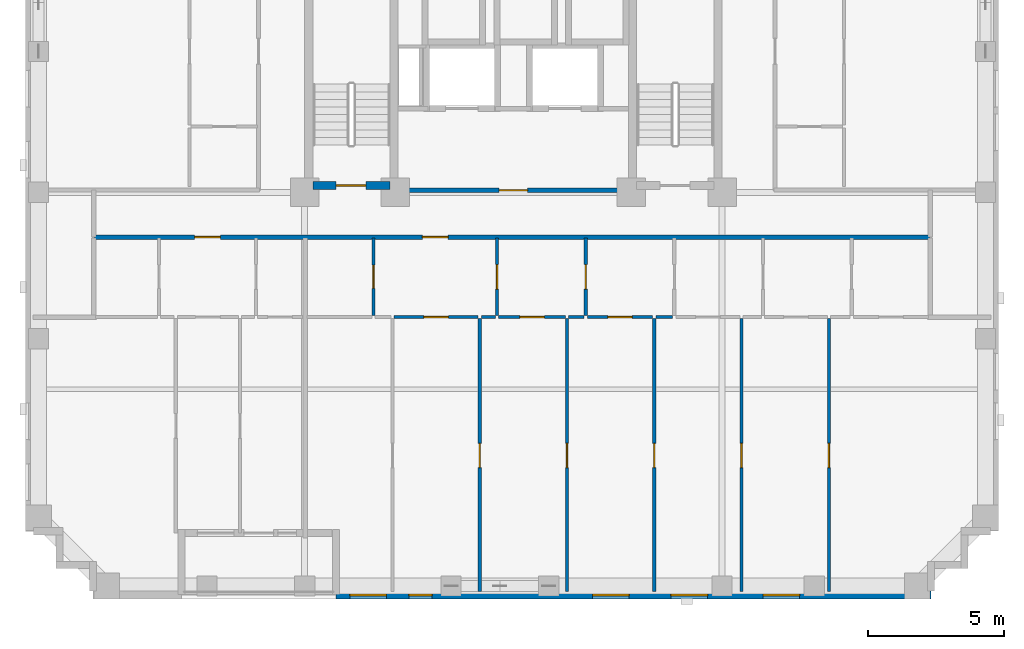
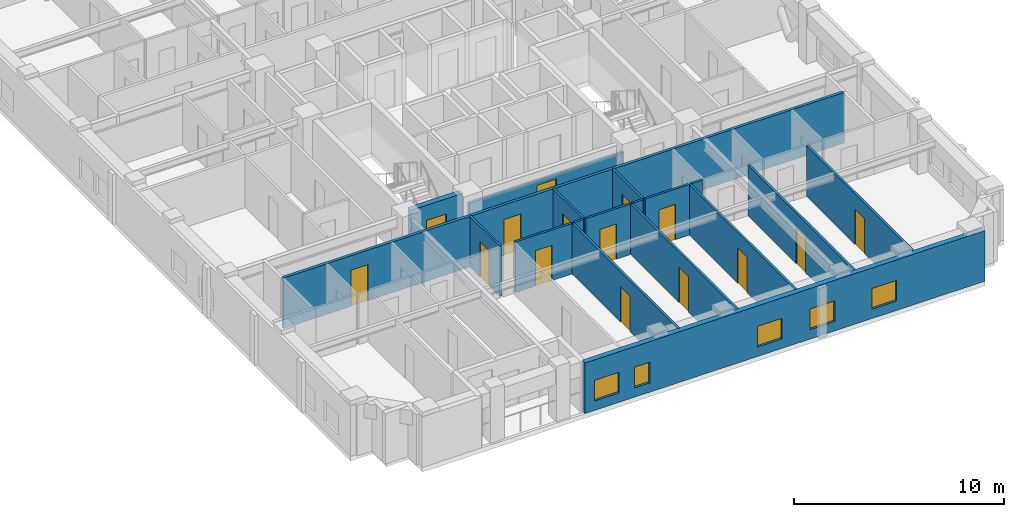
# One storey, part 3 of 12: 18 walls, 15 doors, 5 windows, 20 openings.
"""IFC4 building model written with IfcOpenShell, lengths in metres."""

from ifc_helpers import new_model, si_unit, derived_unit, direction, frame, frame_2d, origin, place, context, subcontext, project, spatial, rectangle, extrude, material, layer, layer_set, type_object, element, fill, save


model = new_model("IFC4")

# Units and contexts
model_context = context("Model", 3, precision=1e-05, world=origin(), true_north=direction((0.0, 1.0)))
body_context = subcontext(model_context, "Body", "Model", "MODEL_VIEW")
ifc_project = project(units=[si_unit("LENGTHUNIT", "METRE"), si_unit("AREAUNIT", "SQUARE_METRE"), si_unit("VOLUMEUNIT", "CUBIC_METRE"), si_unit("PLANEANGLEUNIT", "RADIAN"), si_unit("MASSUNIT", "GRAM", prefix="KILO"), derived_unit("THERMALTRANSMITTANCEUNIT", [(si_unit("MASSUNIT", "GRAM", prefix="KILO"), 1), (si_unit("TIMEUNIT", "SECOND"), -3), (si_unit("THERMODYNAMICTEMPERATUREUNIT", "KELVIN"), -1)])], contexts=[model_context])

# Site, building, storey
site_placement = place(None, origin())
site = spatial("IfcSite", under=ifc_project, at=site_placement, CompositionType="ELEMENT")
building_placement = place(site_placement, origin())
building = spatial("IfcBuilding", under=site, at=building_placement, Name="Korrvale Station Residences", CompositionType="ELEMENT")
storey_placement = place(building_placement, frame((0.0, 0.0, 110.300048828125)))
storey = spatial("IfcBuildingStorey", under=building, at=storey_placement, Name="L31", CompositionType="ELEMENT", Elevation=110.300048828125)

# Wall, opening, door
ifc_material_1 = material(Name="Concrete C60/75", Category="concrete")
ifc_layer_1 = layer(ifc_material_1, 0.300048828125, Name="Concrete C60/75")
ifc_layer_set_1 = layer_set([ifc_layer_1], Name="Concrete C60/75")
wall_type_1 = type_object("IfcWallType", Name="WAL-CORE-300-C60", PredefinedType="SHEAR", material=ifc_layer_set_1)
wall_1_placement = place(storey_placement, frame((18.10009765625, 15.25, 0.0), z_axis=(0.0, 0.0, 1.0), x_axis=(1.0, 0.0, 0.0)))
wall_1 = element("IfcWall", 1, at=wall_1_placement, inside=storey, type_object=wall_type_1, Name="L31 ST-1 Core Shear Wall South", PredefinedType="SHEAR", context=body_context, shape_type="SweptSolid", body=[
    extrude(rectangle(XDim=2.849853515625, YDim=0.300048828125, at=frame_2d((1.4248046875, 0.0))), origin(), (0.0, 0.0, 1.0), 2.93994140625),
])
opening_1_placement = place(wall_1_placement, frame((0.860107421875, 0.0, 0.0)))
opening_1 = element("IfcOpeningElement", 2, at=opening_1_placement, cuts=wall_1, Name="Opening SD-1100", PredefinedType="OPENING", context=body_context, shape_type="SweptSolid", body=[
    extrude(rectangle(XDim=1.10009765625, YDim=2.050048828125, at=frame_2d((0.550048828125, 1.02490234375))), frame((0.0, 0.16015625, 0.0), z_axis=(0.0, -1.0, 0.0), x_axis=(1.0, 0.0, 0.0)), (0.0, 0.0, 1.0), 0.320068359375),
])
ifc_material_2 = material(Name="Hollow-metal fire-rated stair door with closer", Category="steel")
door_type_1 = type_object("IfcDoorType", Name="DR-STAIR-1100", OperationType="NOTDEFINED", PredefinedType="DOOR", material=ifc_material_2)
door_1_placement = place(opening_1_placement, origin())
door_1 = element("IfcDoor", 3, at=door_1_placement, inside=storey, type_object=door_type_1, Name="L31 ST-1 Exit Stair Door", OperationType="SINGLE_SWING_LEFT", OverallHeight=2.050048828125, OverallWidth=1.10009765625, PredefinedType="DOOR", context=body_context, shape_type="SweptSolid", body=[
    extrude(rectangle(XDim=1.10009765625, YDim=2.050048828125, at=frame_2d((0.550048828125, 1.02490234375))), frame((0.0, 0.02490234375, 0.0), z_axis=(0.0, -1.0, 0.0), x_axis=(1.0, 0.0, 0.0)), (0.0, 0.0, 1.0), 0.050048828125),
])
fill(opening_1, door_1)

# Wall, openings, windows
ifc_material_3 = material(Name="Precast concrete C45/55", Category="concrete")
ifc_layer_2 = layer(ifc_material_3, 0.300048828125, Name="Precast concrete C45/55")
ifc_layer_set_2 = layer_set([ifc_layer_2], Name="Precast concrete C45/55")
wall_type_2 = type_object("IfcWallType", Name="WAL-EXT-PC300", PredefinedType="SOLIDWALL", material=ifc_layer_set_2)
wall_2_placement = place(storey_placement, frame((40.89990234375, 0.14990234375, 0.0), z_axis=(0.0, 0.0, 1.0), x_axis=(-1.0, 0.0, 0.0)))
wall_2 = element("IfcWall", 4, at=wall_2_placement, inside=storey, type_object=wall_type_2, Name="L31 South Exterior Precast Wall 1", PredefinedType="SOLIDWALL", context=body_context, shape_type="SweptSolid", body=[
    extrude(rectangle(XDim=21.949951171875, YDim=0.300048828125, at=frame_2d((10.97509765625, 0.0))), origin(), (0.0, 0.0, 1.0), 2.93994140625),
])
opening_2_placement = place(wall_2_placement, frame((20.080078125, 0.0, 0.550048828125)))
opening_2 = element("IfcOpeningElement", 5, at=opening_2_placement, cuts=wall_2, Name="Opening W-10", PredefinedType="OPENING", context=body_context, shape_type="SweptSolid", body=[
    extrude(rectangle(XDim=1.35009765625, YDim=1.199951171875, at=frame_2d((0.675048828125, 0.60009765625))), frame((0.0, 0.16015625, 0.0), z_axis=(0.0, -1.0, 0.0), x_axis=(1.0, 0.0, 0.0)), (0.0, 0.0, 1.0), 0.320068359375),
])
opening_3_placement = place(wall_2_placement, frame((18.39990234375, 0.0, 0.550048828125)))
opening_3 = element("IfcOpeningElement", 6, at=opening_3_placement, cuts=wall_2, Name="Opening W-11", PredefinedType="OPENING", context=body_context, shape_type="SweptSolid", body=[
    extrude(rectangle(XDim=0.85009765625, YDim=1.199951171875, at=frame_2d((0.425048828125, 0.60009765625))), frame((0.0, 0.16015625, 0.0), z_axis=(0.0, -1.0, 0.0), x_axis=(1.0, 0.0, 0.0)), (0.0, 0.0, 1.0), 0.320068359375),
])
opening_4_placement = place(wall_2_placement, frame((11.126953125, 0.0, 0.550048828125)))
opening_4 = element("IfcOpeningElement", 7, at=opening_4_placement, cuts=wall_2, Name="Opening W-10", PredefinedType="OPENING", context=body_context, shape_type="SweptSolid", body=[
    extrude(rectangle(XDim=1.35009765625, YDim=1.199951171875, at=frame_2d((0.675048828125, 0.60009765625))), frame((0.0, 0.16015625, 0.0), z_axis=(0.0, -1.0, 0.0), x_axis=(1.0, 0.0, 0.0)), (0.0, 0.0, 1.0), 0.320068359375),
])
opening_5_placement = place(wall_2_placement, frame((8.235107421875, 0.0, 0.550048828125)))
opening_5 = element("IfcOpeningElement", 8, at=opening_5_placement, cuts=wall_2, Name="Opening W-10", PredefinedType="OPENING", context=body_context, shape_type="SweptSolid", body=[
    extrude(rectangle(XDim=1.35009765625, YDim=1.199951171875, at=frame_2d((0.675048828125, 0.60009765625))), frame((0.0, 0.16015625, 0.0), z_axis=(0.0, -1.0, 0.0), x_axis=(1.0, 0.0, 0.0)), (0.0, 0.0, 1.0), 0.320068359375),
])
opening_6_placement = place(wall_2_placement, frame((4.8349609375, 0.0, 0.550048828125)))
opening_6 = element("IfcOpeningElement", 9, at=opening_6_placement, cuts=wall_2, Name="Opening W-10", PredefinedType="OPENING", context=body_context, shape_type="SweptSolid", body=[
    extrude(rectangle(XDim=1.35009765625, YDim=1.199951171875, at=frame_2d((0.675048828125, 0.60009765625))), frame((0.0, 0.16015625, 0.0), z_axis=(0.0, -1.0, 0.0), x_axis=(1.0, 0.0, 0.0)), (0.0, 0.0, 1.0), 0.320068359375),
])
ifc_material_4 = material(Name="Thermally broken aluminium frame with triple low-e glazing", Category="aluminium")
window_type_1 = type_object("IfcWindowType", Name="WIN-W10", PartitioningType="SINGLE_PANEL", PredefinedType="WINDOW", material=ifc_material_4)
window_1_placement = place(opening_2_placement, origin())
window_1 = element("IfcWindow", 10, at=window_1_placement, inside=storey, type_object=window_type_1, Name="L31 Punched Window 05", OverallHeight=1.199951171875, OverallWidth=1.35009765625, PartitioningType="SINGLE_PANEL", PredefinedType="WINDOW", context=body_context, shape_type="SweptSolid", body=[
    extrude(rectangle(XDim=1.35009765625, YDim=1.199951171875, at=frame_2d((0.675048828125, 0.60009765625))), frame((0.0, 0.030029296875, 0.0), z_axis=(0.0, -1.0, 0.0), x_axis=(1.0, 0.0, 0.0)), (0.0, 0.0, 1.0), 0.06005859375),
])
fill(opening_2, window_1)
window_2_placement = place(opening_4_placement, origin())
window_2 = element("IfcWindow", 11, at=window_2_placement, inside=storey, type_object=window_type_1, Name="L31 Punched Window 07", OverallHeight=1.199951171875, OverallWidth=1.35009765625, PartitioningType="SINGLE_PANEL", PredefinedType="WINDOW", context=body_context, shape_type="SweptSolid", body=[
    extrude(rectangle(XDim=1.35009765625, YDim=1.199951171875, at=frame_2d((0.675048828125, 0.60009765625))), frame((0.0, 0.030029296875, 0.0), z_axis=(0.0, -1.0, 0.0), x_axis=(1.0, 0.0, 0.0)), (0.0, 0.0, 1.0), 0.06005859375),
])
fill(opening_4, window_2)
window_3_placement = place(opening_5_placement, origin())
window_3 = element("IfcWindow", 12, at=window_3_placement, inside=storey, type_object=window_type_1, Name="L31 Punched Window 08", OverallHeight=1.199951171875, OverallWidth=1.35009765625, PartitioningType="SINGLE_PANEL", PredefinedType="WINDOW", context=body_context, shape_type="SweptSolid", body=[
    extrude(rectangle(XDim=1.35009765625, YDim=1.199951171875, at=frame_2d((0.675048828125, 0.60009765625))), frame((0.0, 0.030029296875, 0.0), z_axis=(0.0, -1.0, 0.0), x_axis=(1.0, 0.0, 0.0)), (0.0, 0.0, 1.0), 0.06005859375),
])
fill(opening_5, window_3)
window_4_placement = place(opening_6_placement, origin())
window_4 = element("IfcWindow", 13, at=window_4_placement, inside=storey, type_object=window_type_1, Name="L31 Punched Window 09", OverallHeight=1.199951171875, OverallWidth=1.35009765625, PartitioningType="SINGLE_PANEL", PredefinedType="WINDOW", context=body_context, shape_type="SweptSolid", body=[
    extrude(rectangle(XDim=1.35009765625, YDim=1.199951171875, at=frame_2d((0.675048828125, 0.60009765625))), frame((0.0, 0.030029296875, 0.0), z_axis=(0.0, -1.0, 0.0), x_axis=(1.0, 0.0, 0.0)), (0.0, 0.0, 1.0), 0.06005859375),
])
fill(opening_6, window_4)
window_type_2 = type_object("IfcWindowType", Name="WIN-W11", PartitioningType="SINGLE_PANEL", PredefinedType="WINDOW", material=ifc_material_4)
window_5_placement = place(opening_3_placement, origin())
window_5 = element("IfcWindow", 14, at=window_5_placement, inside=storey, type_object=window_type_2, Name="L31 Punched Window 06", OverallHeight=1.199951171875, OverallWidth=0.85009765625, PartitioningType="SINGLE_PANEL", PredefinedType="WINDOW", context=body_context, shape_type="SweptSolid", body=[
    extrude(rectangle(XDim=0.85009765625, YDim=1.199951171875, at=frame_2d((0.425048828125, 0.60009765625))), frame((0.0, 0.030029296875, 0.0), z_axis=(0.0, -1.0, 0.0), x_axis=(1.0, 0.0, 0.0)), (0.0, 0.0, 1.0), 0.06005859375),
])
fill(opening_3, window_5)

# Wall, opening, door
ifc_material_5 = material(Name="Acoustic steel-stud gypsum board partition", Category="steel")
ifc_layer_3 = layer(ifc_material_5, 0.1201171875, Name="Acoustic steel-stud gypsum board partition")
ifc_layer_set_3 = layer_set([ifc_layer_3], Name="Acoustic steel-stud gypsum board partition")
wall_type_3 = type_object("IfcWallType", Name="WAL-PART-125", PredefinedType="PARTITIONING", material=ifc_layer_set_3)
wall_3_placement = place(storey_placement, frame((20.340087890625, 10.4599609375, 0.0), z_axis=(0.0, 0.0, 1.0), x_axis=(0.0, 1.0, 0.0)))
wall_3 = element("IfcWall", 15, at=wall_3_placement, inside=storey, type_object=wall_type_3, Name="L31 Suite Partition U02-V01", PredefinedType="PARTITIONING", context=body_context, shape_type="SweptSolid", body=[
    extrude(rectangle(XDim=2.85009765625, YDim=0.1201171875, at=frame_2d((1.425048828125, 0.0))), origin(), (0.0, 0.0, 1.0), 2.93994140625),
])
opening_7_placement = place(wall_3_placement, frame((0.9951171875, 0.0, 0.0)))
opening_7 = element("IfcOpeningElement", 16, at=opening_7_placement, cuts=wall_3, Name="Opening DB-860", PredefinedType="OPENING", context=body_context, shape_type="SweptSolid", body=[
    extrude(rectangle(XDim=0.860107421875, YDim=2.050048828125, at=frame_2d((0.43017578125, 1.02490234375))), frame((0.0, 0.070068359375, 0.0), z_axis=(0.0, -1.0, 0.0), x_axis=(1.0, 0.0, 0.0)), (0.0, 0.0, 1.0), 0.14013671875),
])
ifc_material_6 = material(Name="Moisture-resistant solid-core bathroom door", Category="timber")
door_type_2 = type_object("IfcDoorType", Name="DR-BATH-860", OperationType="NOTDEFINED", PredefinedType="DOOR", material=ifc_material_6)
door_2_placement = place(opening_7_placement, origin())
door_2 = element("IfcDoor", 17, at=door_2_placement, inside=storey, type_object=door_type_2, Name="L31 Studio Apartment L31-U02 Bathroom Door", OperationType="SINGLE_SWING_RIGHT", OverallHeight=2.050048828125, OverallWidth=0.860107421875, PredefinedType="DOOR", context=body_context, shape_type="SweptSolid", body=[
    extrude(rectangle(XDim=0.860107421875, YDim=2.050048828125, at=frame_2d((0.43017578125, 1.02490234375))), frame((0.0, 0.02490234375, 0.0), z_axis=(0.0, -1.0, 0.0), x_axis=(1.0, 0.0, 0.0)), (0.0, 0.0, 1.0), 0.050048828125),
])
fill(opening_7, door_2)

wall_4_placement = place(storey_placement, frame((24.89990234375, 10.4599609375, 0.0), z_axis=(0.0, 0.0, 1.0), x_axis=(0.0, 1.0, 0.0)))
wall_4 = element("IfcWall", 18, at=wall_4_placement, inside=storey, type_object=wall_type_3, Name="L31 Suite Partition U02-V12", PredefinedType="PARTITIONING", context=body_context, shape_type="SweptSolid", body=[
    extrude(rectangle(XDim=2.85009765625, YDim=0.1201171875, at=frame_2d((1.425048828125, 0.0))), origin(), (0.0, 0.0, 1.0), 2.93994140625),
])
opening_8_placement = place(wall_4_placement, frame((0.97509765625, 0.0, 0.0)))
opening_8 = element("IfcOpeningElement", 19, at=opening_8_placement, cuts=wall_4, Name="Opening DI-900", PredefinedType="OPENING", context=body_context, shape_type="SweptSolid", body=[
    extrude(rectangle(XDim=0.89990234375, YDim=2.050048828125, at=frame_2d((0.449951171875, 1.02490234375))), frame((0.0, 0.070068359375, 0.0), z_axis=(0.0, -1.0, 0.0), x_axis=(1.0, 0.0, 0.0)), (0.0, 0.0, 1.0), 0.14013671875),
])
ifc_material_7 = material(Name="Painted solid-core timber interior room door", Category="wood")
door_type_3 = type_object("IfcDoorType", Name="DR-INT-900", OperationType="NOTDEFINED", PredefinedType="DOOR", material=ifc_material_7)
door_3_placement = place(opening_8_placement, origin())
door_3 = element("IfcDoor", 20, at=door_3_placement, inside=storey, type_object=door_type_3, Name="L31 Studio Apartment L31-U02 Kitchen Door", OperationType="SINGLE_SWING_LEFT", OverallHeight=2.050048828125, OverallWidth=0.89990234375, PredefinedType="DOOR", context=body_context, shape_type="SweptSolid", body=[
    extrude(rectangle(XDim=0.89990234375, YDim=2.050048828125, at=frame_2d((0.449951171875, 1.02490234375))), frame((0.0, 0.02490234375, 0.0), z_axis=(0.0, -1.0, 0.0), x_axis=(1.0, 0.0, 0.0)), (0.0, 0.0, 1.0), 0.050048828125),
])
fill(opening_8, door_3)

wall_5_placement = place(storey_placement, frame((21.10009765625, 10.39990234375, 0.0), z_axis=(0.0, 0.0, 1.0), x_axis=(1.0, 0.0, 0.0)))
wall_5 = element("IfcWall", 21, at=wall_5_placement, inside=storey, type_object=wall_type_3, Name="L31 Suite Partition U02-H18", PredefinedType="PARTITIONING", context=body_context, shape_type="SweptSolid", body=[
    extrude(rectangle(XDim=3.099853515625, YDim=0.1201171875, at=frame_2d((1.5498046875, 0.0))), origin(), (0.0, 0.0, 1.0), 2.93994140625),
])
opening_9_placement = place(wall_5_placement, frame((1.10009765625, 0.0, 0.0)))
opening_9 = element("IfcOpeningElement", 22, at=opening_9_placement, cuts=wall_5, Name="Opening DI-900", PredefinedType="OPENING", context=body_context, shape_type="SweptSolid", body=[
    extrude(rectangle(XDim=0.89990234375, YDim=2.050048828125, at=frame_2d((0.449951171875, 1.02490234375))), frame((0.0, 0.070068359375, 0.0), z_axis=(0.0, -1.0, 0.0), x_axis=(1.0, 0.0, 0.0)), (0.0, 0.0, 1.0), 0.14013671875),
])
door_4_placement = place(opening_9_placement, origin())
door_4 = element("IfcDoor", 23, at=door_4_placement, inside=storey, type_object=door_type_3, Name="L31 Studio Apartment L31-U02 Kitchen Door", OperationType="SINGLE_SWING_RIGHT", OverallHeight=2.050048828125, OverallWidth=0.89990234375, PredefinedType="DOOR", context=body_context, shape_type="SweptSolid", body=[
    extrude(rectangle(XDim=0.89990234375, YDim=2.050048828125, at=frame_2d((0.449951171875, 1.02490234375))), frame((0.0, 0.02490234375, 0.0), z_axis=(0.0, -1.0, 0.0), x_axis=(1.0, 0.0, 0.0)), (0.0, 0.0, 1.0), 0.050048828125),
])
fill(opening_9, door_4)

# Wall
wall_6_placement = place(storey_placement, frame((24.320068359375, 10.39990234375, 0.0), z_axis=(0.0, 0.0, 1.0), x_axis=(1.0, 0.0, 0.0)))
element("IfcWall", 24, at=wall_6_placement, inside=storey, type_object=wall_type_3, Name="L31 Suite Partition U02-H19", PredefinedType="PARTITIONING", context=body_context, shape_type="SweptSolid", body=[
    extrude(rectangle(XDim=0.52001953125, YDim=0.1201171875, at=frame_2d((0.260009765625, 0.0))), origin(), (0.0, 0.0, 1.0), 2.93994140625),
])

# Wall, opening, door
wall_7_placement = place(storey_placement, frame((28.169921875, 10.4599609375, 0.0), z_axis=(0.0, 0.0, 1.0), x_axis=(0.0, 1.0, 0.0)))
wall_7 = element("IfcWall", 25, at=wall_7_placement, inside=storey, type_object=wall_type_3, Name="L31 Suite Partition U02-V23", PredefinedType="PARTITIONING", context=body_context, shape_type="SweptSolid", body=[
    extrude(rectangle(XDim=2.85009765625, YDim=0.1201171875, at=frame_2d((1.425048828125, 0.0))), origin(), (0.0, 0.0, 1.0), 2.93994140625),
])
opening_10_placement = place(wall_7_placement, frame((0.97509765625, 0.0, 0.0)))
opening_10 = element("IfcOpeningElement", 26, at=opening_10_placement, cuts=wall_7, Name="Opening DI-900", PredefinedType="OPENING", context=body_context, shape_type="SweptSolid", body=[
    extrude(rectangle(XDim=0.89990234375, YDim=2.050048828125, at=frame_2d((0.449951171875, 1.02490234375))), frame((0.0, 0.070068359375, 0.0), z_axis=(0.0, -1.0, 0.0), x_axis=(1.0, 0.0, 0.0)), (0.0, 0.0, 1.0), 0.14013671875),
])
door_5_placement = place(opening_10_placement, origin())
door_5 = element("IfcDoor", 27, at=door_5_placement, inside=storey, type_object=door_type_3, Name="L31 Studio Apartment L31-U02 Home Study Room Door", OperationType="SINGLE_SWING_LEFT", OverallHeight=2.050048828125, OverallWidth=0.89990234375, PredefinedType="DOOR", context=body_context, shape_type="SweptSolid", body=[
    extrude(rectangle(XDim=0.89990234375, YDim=2.050048828125, at=frame_2d((0.449951171875, 1.02490234375))), frame((0.0, 0.02490234375, 0.0), z_axis=(0.0, -1.0, 0.0), x_axis=(1.0, 0.0, 0.0)), (0.0, 0.0, 1.0), 0.050048828125),
])
fill(opening_10, door_5)

wall_8_placement = place(storey_placement, frame((24.9599609375, 10.39990234375, 0.0), z_axis=(0.0, 0.0, 1.0), x_axis=(1.0, 0.0, 0.0)))
wall_8 = element("IfcWall", 28, at=wall_8_placement, inside=storey, type_object=wall_type_3, Name="L31 Suite Partition U02-H29", PredefinedType="PARTITIONING", context=body_context, shape_type="SweptSolid", body=[
    extrude(rectangle(XDim=2.4599609375, YDim=0.1201171875, at=frame_2d((1.22998046875, 0.0))), origin(), (0.0, 0.0, 1.0), 2.93994140625),
])
opening_11_placement = place(wall_8_placement, frame((0.780029296875, 0.0, 0.0)))
opening_11 = element("IfcOpeningElement", 29, at=opening_11_placement, cuts=wall_8, Name="Opening DI-900", PredefinedType="OPENING", context=body_context, shape_type="SweptSolid", body=[
    extrude(rectangle(XDim=0.89990234375, YDim=2.050048828125, at=frame_2d((0.449951171875, 1.02490234375))), frame((0.0, 0.070068359375, 0.0), z_axis=(0.0, -1.0, 0.0), x_axis=(1.0, 0.0, 0.0)), (0.0, 0.0, 1.0), 0.14013671875),
])
door_6_placement = place(opening_11_placement, origin())
door_6 = element("IfcDoor", 30, at=door_6_placement, inside=storey, type_object=door_type_3, Name="L31 Studio Apartment L31-U02 Home Study Room Door", OperationType="SINGLE_SWING_RIGHT", OverallHeight=2.050048828125, OverallWidth=0.89990234375, PredefinedType="DOOR", context=body_context, shape_type="SweptSolid", body=[
    extrude(rectangle(XDim=0.89990234375, YDim=2.050048828125, at=frame_2d((0.449951171875, 1.02490234375))), frame((0.0, 0.02490234375, 0.0), z_axis=(0.0, -1.0, 0.0), x_axis=(1.0, 0.0, 0.0)), (0.0, 0.0, 1.0), 0.050048828125),
])
fill(opening_11, door_6)

# Wall
wall_9_placement = place(storey_placement, frame((27.5400390625, 10.39990234375, 0.0), z_axis=(0.0, 0.0, 1.0), x_axis=(1.0, 0.0, 0.0)))
element("IfcWall", 31, at=wall_9_placement, inside=storey, type_object=wall_type_3, Name="L31 Suite Partition U02-H210", PredefinedType="PARTITIONING", context=body_context, shape_type="SweptSolid", body=[
    extrude(rectangle(XDim=0.570068359375, YDim=0.1201171875, at=frame_2d((0.28515625, 0.0))), origin(), (0.0, 0.0, 1.0), 2.93994140625),
])

# Wall, opening, door
wall_10_placement = place(storey_placement, frame((28.22998046875, 10.39990234375, 0.0), z_axis=(0.0, 0.0, 1.0), x_axis=(1.0, 0.0, 0.0)))
wall_10 = element("IfcWall", 32, at=wall_10_placement, inside=storey, type_object=wall_type_3, Name="L31 Suite Partition U02-H310", PredefinedType="PARTITIONING", context=body_context, shape_type="SweptSolid", body=[
    extrude(rectangle(XDim=2.409912109375, YDim=0.1201171875, at=frame_2d((1.205078125, 0.0))), origin(), (0.0, 0.0, 1.0), 2.93994140625),
])
opening_12_placement = place(wall_10_placement, frame((0.7548828125, 0.0, 0.0)))
opening_12 = element("IfcOpeningElement", 33, at=opening_12_placement, cuts=wall_10, Name="Opening DI-900", PredefinedType="OPENING", context=body_context, shape_type="SweptSolid", body=[
    extrude(rectangle(XDim=0.89990234375, YDim=2.050048828125, at=frame_2d((0.449951171875, 1.02490234375))), frame((0.0, 0.070068359375, 0.0), z_axis=(0.0, -1.0, 0.0), x_axis=(1.0, 0.0, 0.0)), (0.0, 0.0, 1.0), 0.14013671875),
])
door_7_placement = place(opening_12_placement, origin())
door_7 = element("IfcDoor", 34, at=door_7_placement, inside=storey, type_object=door_type_3, Name="L31 Studio Apartment L31-U02 Home Study Room Door", OperationType="SINGLE_SWING_RIGHT", OverallHeight=2.050048828125, OverallWidth=0.89990234375, PredefinedType="DOOR", context=body_context, shape_type="SweptSolid", body=[
    extrude(rectangle(XDim=0.89990234375, YDim=2.050048828125, at=frame_2d((0.449951171875, 1.02490234375))), frame((0.0, 0.02490234375, 0.0), z_axis=(0.0, -1.0, 0.0), x_axis=(1.0, 0.0, 0.0)), (0.0, 0.0, 1.0), 0.050048828125),
])
fill(opening_12, door_7)

# Wall
wall_11_placement = place(storey_placement, frame((30.760009765625, 10.39990234375, 0.0), z_axis=(0.0, 0.0, 1.0), x_axis=(1.0, 0.0, 0.0)))
element("IfcWall", 35, at=wall_11_placement, inside=storey, type_object=wall_type_3, Name="L31 Suite Partition U02-H311", PredefinedType="PARTITIONING", context=body_context, shape_type="SweptSolid", body=[
    extrude(rectangle(XDim=0.619873046875, YDim=0.1201171875, at=frame_2d((0.31005859375, 0.0))), origin(), (0.0, 0.0, 1.0), 2.93994140625),
])

# Wall, opening, door
wall_12_placement = place(storey_placement, frame((24.260009765625, 0.280029296875, 0.0), z_axis=(0.0, 0.0, 1.0), x_axis=(0.0, 1.0, 0.0)))
wall_12 = element("IfcWall", 36, at=wall_12_placement, inside=storey, type_object=wall_type_3, Name="L31 Suite Partition U02-V89", PredefinedType="PARTITIONING", context=body_context, shape_type="SweptSolid", body=[
    extrude(rectangle(XDim=10.06005859375, YDim=0.1201171875, at=frame_2d((5.030029296875, 0.0))), origin(), (0.0, 0.0, 1.0), 2.93994140625),
])
opening_13_placement = place(wall_12_placement, frame((4.56494140625, 0.0, 0.0)))
opening_13 = element("IfcOpeningElement", 37, at=opening_13_placement, cuts=wall_12, Name="Opening DI-900", PredefinedType="OPENING", context=body_context, shape_type="SweptSolid", body=[
    extrude(rectangle(XDim=0.89990234375, YDim=2.050048828125, at=frame_2d((0.449951171875, 1.02490234375))), frame((0.0, 0.070068359375, 0.0), z_axis=(0.0, -1.0, 0.0), x_axis=(1.0, 0.0, 0.0)), (0.0, 0.0, 1.0), 0.14013671875),
])
door_8_placement = place(opening_13_placement, origin())
door_8 = element("IfcDoor", 38, at=door_8_placement, inside=storey, type_object=door_type_3, Name="L31 Studio Apartment L31-U02 Formal Dining Room Door", OperationType="SINGLE_SWING_LEFT", OverallHeight=2.050048828125, OverallWidth=0.89990234375, PredefinedType="DOOR", context=body_context, shape_type="SweptSolid", body=[
    extrude(rectangle(XDim=0.89990234375, YDim=2.050048828125, at=frame_2d((0.449951171875, 1.02490234375))), frame((0.0, 0.02490234375, 0.0), z_axis=(0.0, -1.0, 0.0), x_axis=(1.0, 0.0, 0.0)), (0.0, 0.0, 1.0), 0.050048828125),
])
fill(opening_13, door_8)

wall_13_placement = place(storey_placement, frame((27.47998046875, 0.280029296875, 0.0), z_axis=(0.0, 0.0, 1.0), x_axis=(0.0, 1.0, 0.0)))
wall_13 = element("IfcWall", 39, at=wall_13_placement, inside=storey, type_object=wall_type_3, Name="L31 Suite Partition U02-V910", PredefinedType="PARTITIONING", context=body_context, shape_type="SweptSolid", body=[
    extrude(rectangle(XDim=10.06005859375, YDim=0.1201171875, at=frame_2d((5.030029296875, 0.0))), origin(), (0.0, 0.0, 1.0), 2.93994140625),
])
opening_14_placement = place(wall_13_placement, frame((4.56494140625, 0.0, 0.0)))
opening_14 = element("IfcOpeningElement", 40, at=opening_14_placement, cuts=wall_13, Name="Opening DI-900", PredefinedType="OPENING", context=body_context, shape_type="SweptSolid", body=[
    extrude(rectangle(XDim=0.89990234375, YDim=2.050048828125, at=frame_2d((0.449951171875, 1.02490234375))), frame((0.0, 0.070068359375, 0.0), z_axis=(0.0, -1.0, 0.0), x_axis=(1.0, 0.0, 0.0)), (0.0, 0.0, 1.0), 0.14013671875),
])
door_9_placement = place(opening_14_placement, origin())
door_9 = element("IfcDoor", 41, at=door_9_placement, inside=storey, type_object=door_type_3, Name="L31 Studio Apartment L31-U02 Walk-In Wardrobe Door", OperationType="SINGLE_SWING_RIGHT", OverallHeight=2.050048828125, OverallWidth=0.89990234375, PredefinedType="DOOR", context=body_context, shape_type="SweptSolid", body=[
    extrude(rectangle(XDim=0.89990234375, YDim=2.050048828125, at=frame_2d((0.449951171875, 1.02490234375))), frame((0.0, 0.02490234375, 0.0), z_axis=(0.0, -1.0, 0.0), x_axis=(1.0, 0.0, 0.0)), (0.0, 0.0, 1.0), 0.050048828125),
])
fill(opening_14, door_9)

wall_14_placement = place(storey_placement, frame((30.699951171875, 0.280029296875, 0.0), z_axis=(0.0, 0.0, 1.0), x_axis=(0.0, 1.0, 0.0)))
wall_14 = element("IfcWall", 42, at=wall_14_placement, inside=storey, type_object=wall_type_3, Name="L31 Suite Partition U02-V1011", PredefinedType="PARTITIONING", context=body_context, shape_type="SweptSolid", body=[
    extrude(rectangle(XDim=10.06005859375, YDim=0.1201171875, at=frame_2d((5.030029296875, 0.0))), origin(), (0.0, 0.0, 1.0), 2.93994140625),
])
opening_15_placement = place(wall_14_placement, frame((4.56494140625, 0.0, 0.0)))
opening_15 = element("IfcOpeningElement", 43, at=opening_15_placement, cuts=wall_14, Name="Opening DI-900", PredefinedType="OPENING", context=body_context, shape_type="SweptSolid", body=[
    extrude(rectangle(XDim=0.89990234375, YDim=2.050048828125, at=frame_2d((0.449951171875, 1.02490234375))), frame((0.0, 0.070068359375, 0.0), z_axis=(0.0, -1.0, 0.0), x_axis=(1.0, 0.0, 0.0)), (0.0, 0.0, 1.0), 0.14013671875),
])
door_10_placement = place(opening_15_placement, origin())
door_10 = element("IfcDoor", 44, at=door_10_placement, inside=storey, type_object=door_type_3, Name="L31 Studio Apartment L31-U02 Formal Dining Room Door", OperationType="SINGLE_SWING_LEFT", OverallHeight=2.050048828125, OverallWidth=0.89990234375, PredefinedType="DOOR", context=body_context, shape_type="SweptSolid", body=[
    extrude(rectangle(XDim=0.89990234375, YDim=2.050048828125, at=frame_2d((0.449951171875, 1.02490234375))), frame((0.0, 0.02490234375, 0.0), z_axis=(0.0, -1.0, 0.0), x_axis=(1.0, 0.0, 0.0)), (0.0, 0.0, 1.0), 0.050048828125),
])
fill(opening_15, door_10)

wall_15_placement = place(storey_placement, frame((33.919921875, 0.280029296875, 0.0), z_axis=(0.0, 0.0, 1.0), x_axis=(0.0, 1.0, 0.0)))
wall_15 = element("IfcWall", 45, at=wall_15_placement, inside=storey, type_object=wall_type_3, Name="L31 Suite Partition U02-V1112", PredefinedType="PARTITIONING", context=body_context, shape_type="SweptSolid", body=[
    extrude(rectangle(XDim=10.06005859375, YDim=0.1201171875, at=frame_2d((5.030029296875, 0.0))), origin(), (0.0, 0.0, 1.0), 2.93994140625),
])
opening_16_placement = place(wall_15_placement, frame((4.56494140625, 0.0, 0.0)))
opening_16 = element("IfcOpeningElement", 46, at=opening_16_placement, cuts=wall_15, Name="Opening DI-900", PredefinedType="OPENING", context=body_context, shape_type="SweptSolid", body=[
    extrude(rectangle(XDim=0.89990234375, YDim=2.050048828125, at=frame_2d((0.449951171875, 1.02490234375))), frame((0.0, 0.070068359375, 0.0), z_axis=(0.0, -1.0, 0.0), x_axis=(1.0, 0.0, 0.0)), (0.0, 0.0, 1.0), 0.14013671875),
])
door_11_placement = place(opening_16_placement, origin())
door_11 = element("IfcDoor", 47, at=door_11_placement, inside=storey, type_object=door_type_3, Name="L31 Studio Apartment L31-U02 Formal Dining Room Door", OperationType="SINGLE_SWING_RIGHT", OverallHeight=2.050048828125, OverallWidth=0.89990234375, PredefinedType="DOOR", context=body_context, shape_type="SweptSolid", body=[
    extrude(rectangle(XDim=0.89990234375, YDim=2.050048828125, at=frame_2d((0.449951171875, 1.02490234375))), frame((0.0, 0.02490234375, 0.0), z_axis=(0.0, -1.0, 0.0), x_axis=(1.0, 0.0, 0.0)), (0.0, 0.0, 1.0), 0.050048828125),
])
fill(opening_16, door_11)

wall_16_placement = place(storey_placement, frame((37.139892578125, 0.280029296875, 0.0), z_axis=(0.0, 0.0, 1.0), x_axis=(0.0, 1.0, 0.0)))
wall_16 = element("IfcWall", 48, at=wall_16_placement, inside=storey, type_object=wall_type_3, Name="L31 Suite Partition U02-V1213", PredefinedType="PARTITIONING", context=body_context, shape_type="SweptSolid", body=[
    extrude(rectangle(XDim=10.06005859375, YDim=0.1201171875, at=frame_2d((5.030029296875, 0.0))), origin(), (0.0, 0.0, 1.0), 2.93994140625),
])
opening_17_placement = place(wall_16_placement, frame((4.56494140625, 0.0, 0.0)))
opening_17 = element("IfcOpeningElement", 49, at=opening_17_placement, cuts=wall_16, Name="Opening DI-900", PredefinedType="OPENING", context=body_context, shape_type="SweptSolid", body=[
    extrude(rectangle(XDim=0.89990234375, YDim=2.050048828125, at=frame_2d((0.449951171875, 1.02490234375))), frame((0.0, 0.070068359375, 0.0), z_axis=(0.0, -1.0, 0.0), x_axis=(1.0, 0.0, 0.0)), (0.0, 0.0, 1.0), 0.14013671875),
])
door_12_placement = place(opening_17_placement, origin())
door_12 = element("IfcDoor", 50, at=door_12_placement, inside=storey, type_object=door_type_3, Name="L31 Studio Apartment L31-U02 Formal Dining Room Door", OperationType="SINGLE_SWING_LEFT", OverallHeight=2.050048828125, OverallWidth=0.89990234375, PredefinedType="DOOR", context=body_context, shape_type="SweptSolid", body=[
    extrude(rectangle(XDim=0.89990234375, YDim=2.050048828125, at=frame_2d((0.449951171875, 1.02490234375))), frame((0.0, 0.02490234375, 0.0), z_axis=(0.0, -1.0, 0.0), x_axis=(1.0, 0.0, 0.0)), (0.0, 0.0, 1.0), 0.050048828125),
])
fill(opening_17, door_12)

ifc_material_8 = material(Name="Fire-rated twin-stud gypsum and mineral wool shaftwall assembly", Category="gypsum")
ifc_layer_4 = layer(ifc_material_8, 0.159912109375, Name="Fire-rated twin-stud gypsum and mineral wool shaftwall assembly")
ifc_layer_set_4 = layer_set([ifc_layer_4], Name="Fire-rated twin-stud gypsum and mineral wool shaftwall assembly")
wall_type_4 = type_object("IfcWallType", Name="WAL-PART-200", PredefinedType="PARTITIONING", material=ifc_layer_set_4)
wall_17_placement = place(storey_placement, frame((21.25, 15.080078125, 0.0), z_axis=(0.0, 0.0, 1.0), x_axis=(1.0, 0.0, 0.0)))
wall_17 = element("IfcWall", 51, at=wall_17_placement, inside=storey, type_object=wall_type_4, Name="L31 Core Partition CW-FFL-S", PredefinedType="PARTITIONING", context=body_context, shape_type="SweptSolid", body=[
    extrude(rectangle(XDim=8.5, YDim=0.159912109375, at=frame_2d((4.25, 0.0))), origin(), (0.0, 0.0, 1.0), 2.31298828125),
])
opening_18_placement = place(wall_17_placement, frame((3.72509765625, 0.0, 0.0)))
opening_18 = element("IfcOpeningElement", 52, at=opening_18_placement, cuts=wall_17, Name="Opening FD-1050", PredefinedType="OPENING", context=body_context, shape_type="SweptSolid", body=[
    extrude(rectangle(XDim=1.050048828125, YDim=2.050048828125, at=frame_2d((0.52490234375, 1.02490234375))), frame((0.0, 0.08984375, 0.0), z_axis=(0.0, -1.0, 0.0), x_axis=(1.0, 0.0, 0.0)), (0.0, 0.0, 1.0), 0.179931640625),
])
ifc_material_9 = material(Name="Fire-rated mineral-core timber lobby door", Category="wood")
door_type_4 = type_object("IfcDoorType", Name="DR-CORE-1050", OperationType="NOTDEFINED", PredefinedType="DOOR", material=ifc_material_9)
door_13_placement = place(opening_18_placement, origin())
door_13 = element("IfcDoor", 53, at=door_13_placement, inside=storey, type_object=door_type_4, Name="L31 Firefighting Lobby Entry Door", OperationType="SINGLE_SWING_LEFT", OverallHeight=2.050048828125, OverallWidth=1.050048828125, PredefinedType="DOOR", context=body_context, shape_type="SweptSolid", body=[
    extrude(rectangle(XDim=1.050048828125, YDim=2.050048828125, at=frame_2d((0.52490234375, 1.02490234375))), frame((0.0, 0.02490234375, 0.0), z_axis=(0.0, -1.0, 0.0), x_axis=(1.0, 0.0, 0.0)), (0.0, 0.0, 1.0), 0.050048828125),
])
fill(opening_18, door_13)

# Wall, openings, doors
wall_18_placement = place(storey_placement, frame((10.050048828125, 13.35009765625, 0.0), z_axis=(0.0, 0.0, 1.0), x_axis=(1.0, 0.0, 0.0)))
wall_18 = element("IfcWall", 54, at=wall_18_placement, inside=storey, type_object=wall_type_4, Name="L31 Rated Corridor Wall S", PredefinedType="PARTITIONING", context=body_context, shape_type="SweptSolid", body=[
    extrude(rectangle(XDim=30.800048828125, YDim=0.159912109375, at=frame_2d((15.39990234375, 0.0))), origin(), (0.0, 0.0, 1.0), 2.93994140625),
])
opening_19_placement = place(wall_18_placement, frame((3.69189453125, 0.0, 0.0)))
opening_19 = element("IfcOpeningElement", 55, at=opening_19_placement, cuts=wall_18, Name="Opening UD-950", PredefinedType="OPENING", context=body_context, shape_type="SweptSolid", body=[
    extrude(rectangle(XDim=0.949951171875, YDim=2.10009765625, at=frame_2d((0.47509765625, 1.050048828125))), frame((0.0, 0.08984375, 0.0), z_axis=(0.0, -1.0, 0.0), x_axis=(1.0, 0.0, 0.0)), (0.0, 0.0, 1.0), 0.179931640625),
])
opening_20_placement = place(wall_18_placement, frame((12.094970703125, 0.0, 0.0)))
opening_20 = element("IfcOpeningElement", 56, at=opening_20_placement, cuts=wall_18, Name="Opening UD-950", PredefinedType="OPENING", context=body_context, shape_type="SweptSolid", body=[
    extrude(rectangle(XDim=0.949951171875, YDim=2.10009765625, at=frame_2d((0.47509765625, 1.050048828125))), frame((0.0, 0.08984375, 0.0), z_axis=(0.0, -1.0, 0.0), x_axis=(1.0, 0.0, 0.0)), (0.0, 0.0, 1.0), 0.179931640625),
])
ifc_material_10 = material(Name="Solid-core acoustic oak apartment entrance door", Category="timber")
door_type_5 = type_object("IfcDoorType", Name="DR-UNIT-950", OperationType="NOTDEFINED", PredefinedType="DOOR", material=ifc_material_10)
door_14_placement = place(opening_19_placement, origin())
door_14 = element("IfcDoor", 57, at=door_14_placement, inside=storey, type_object=door_type_5, Name="L31 Apartment L31-U01 Entrance Door", OperationType="SINGLE_SWING_LEFT", OverallHeight=2.10009765625, OverallWidth=0.949951171875, PredefinedType="DOOR", context=body_context, shape_type="SweptSolid", body=[
    extrude(rectangle(XDim=0.949951171875, YDim=2.10009765625, at=frame_2d((0.47509765625, 1.050048828125))), frame((0.0, 0.02490234375, 0.0), z_axis=(0.0, -1.0, 0.0), x_axis=(1.0, 0.0, 0.0)), (0.0, 0.0, 1.0), 0.050048828125),
])
fill(opening_19, door_14)
door_15_placement = place(opening_20_placement, origin())
door_15 = element("IfcDoor", 58, at=door_15_placement, inside=storey, type_object=door_type_5, Name="L31 Apartment L31-U02 Entrance Door", OperationType="SINGLE_SWING_RIGHT", OverallHeight=2.10009765625, OverallWidth=0.949951171875, PredefinedType="DOOR", context=body_context, shape_type="SweptSolid", body=[
    extrude(rectangle(XDim=0.949951171875, YDim=2.10009765625, at=frame_2d((0.47509765625, 1.050048828125))), frame((0.0, 0.02490234375, 0.0), z_axis=(0.0, -1.0, 0.0), x_axis=(1.0, 0.0, 0.0)), (0.0, 0.0, 1.0), 0.050048828125),
])
fill(opening_20, door_15)

save(model, "model.ifc")
